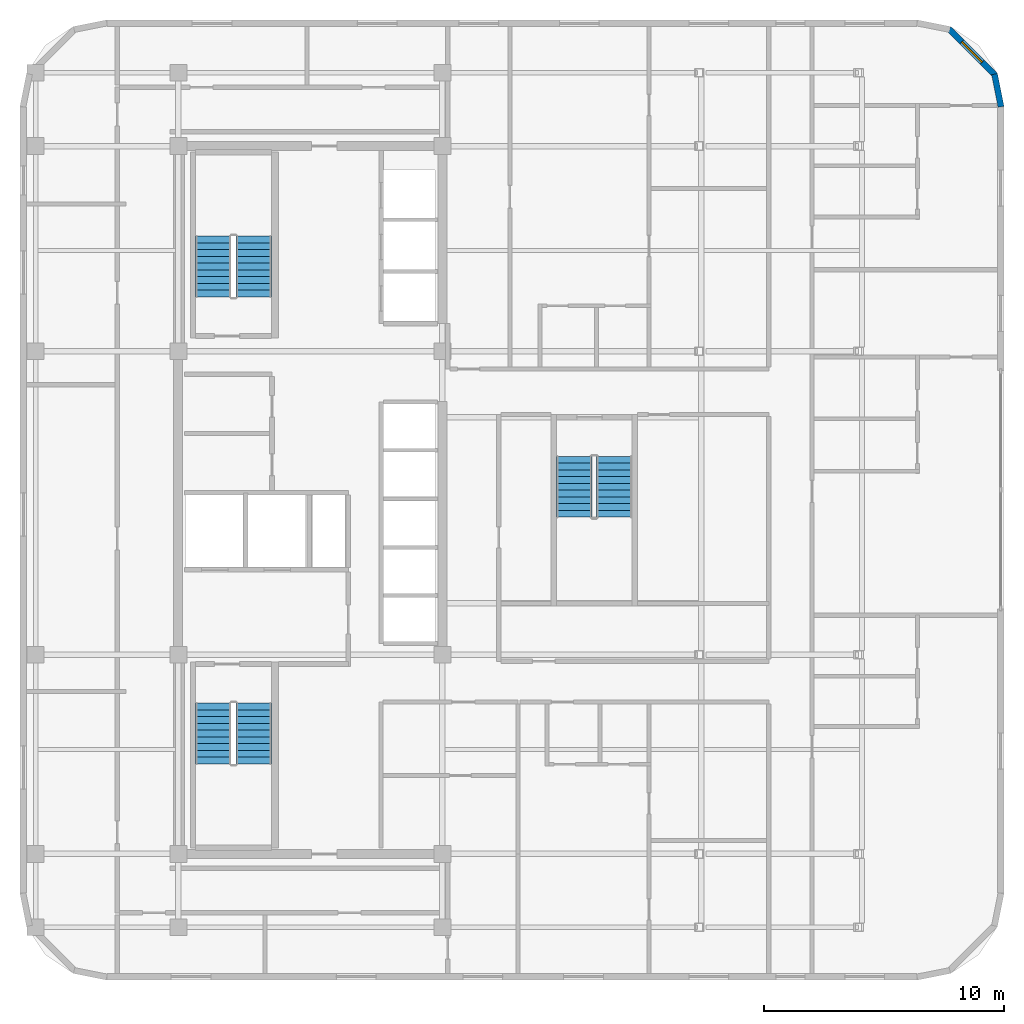
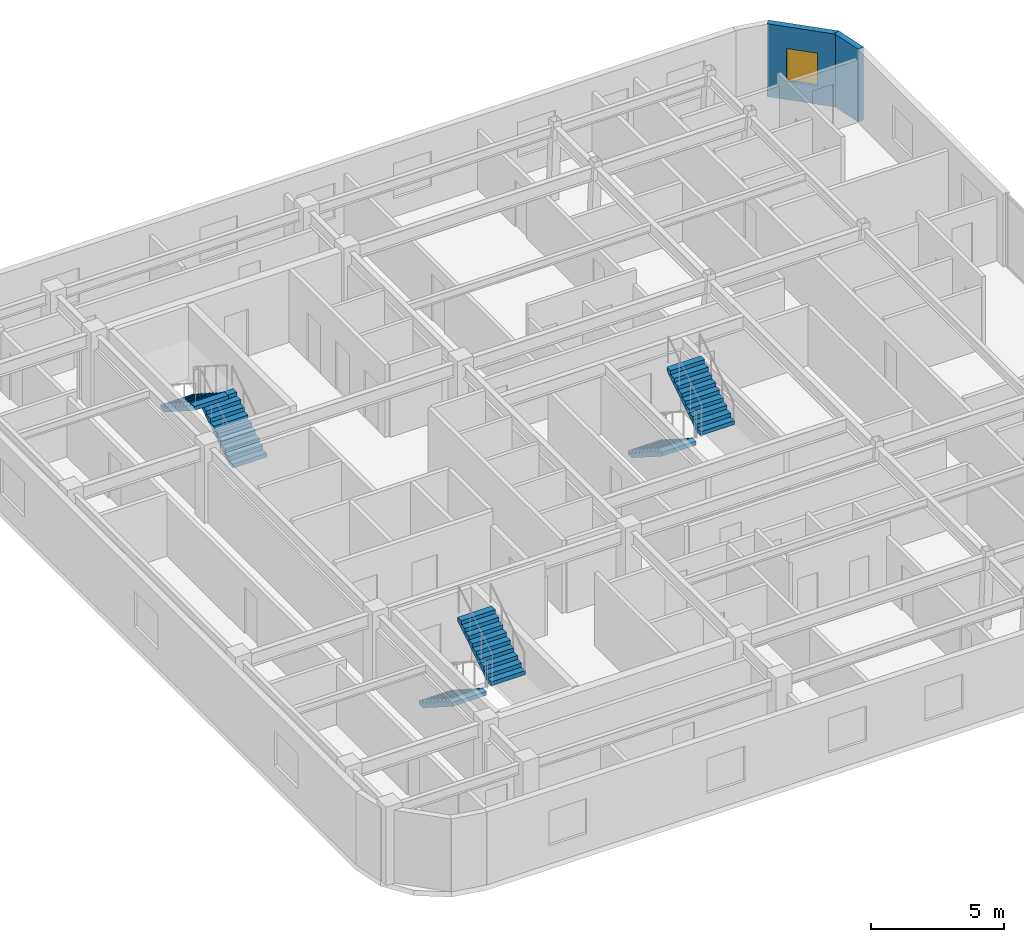
# One storey, part 8 of 9: 6 stair flights, 2 walls, 1 window, 1 opening, 3 elements without a shape of their own.
"""IFC4 building model written with IfcOpenShell, lengths in metres."""

from ifc_helpers import new_model, si_unit, direction, frame, frame_2d, origin, place, context, subcontext, project, spatial, polyline, rectangle, outline, extrude, material, layer, layer_set, type_object, element, fill, aggregate, save


model = new_model("IFC4")

# Units and contexts
model_context = context("Model", 3, precision=1e-05, world=origin(), true_north=direction((0.0, 1.0)))
body_context = subcontext(model_context, "Body", "Model", "MODEL_VIEW")
ifc_project = project(units=[si_unit("LENGTHUNIT", "METRE"), si_unit("AREAUNIT", "SQUARE_METRE"), si_unit("VOLUMEUNIT", "CUBIC_METRE"), si_unit("PLANEANGLEUNIT", "RADIAN"), si_unit("MASSUNIT", "GRAM", prefix="KILO")], contexts=[model_context])

# Site, building, storey
site_placement = place(None, origin())
site = spatial("IfcSite", under=ifc_project, at=site_placement, CompositionType="ELEMENT")
building_placement = place(site_placement, origin())
building = spatial("IfcBuilding", under=site, at=building_placement, Name="Ochreholt Gables", CompositionType="ELEMENT")
storey_placement = place(building_placement, frame((0.0, 0.0, 169.800048828125)))
storey = spatial("IfcBuildingStorey", under=building, at=storey_placement, Name="L44", CompositionType="ELEMENT", Elevation=169.800048828125)

# Wall
ifc_material_1 = material(Name="Precast concrete 40 MPa", Category="concrete")
ifc_layer = layer(ifc_material_1, 0.25, Name="Precast concrete 40 MPa")
ifc_layer_set = layer_set([ifc_layer], Name="Precast concrete 40 MPa")
wall_type = type_object("IfcWallType", Name="WALL-EXT-CNR", PredefinedType="SOLIDWALL", material=ifc_layer_set)
wall_1_placement = place(storey_placement, frame((58.475830078125, 40.383544921875, 0.0), z_axis=(0.0, 0.0, 1.0), x_axis=(-0.19496651342, 0.980809899341, 0.0)))
element("IfcWall", 1, at=wall_1_placement, inside=storey, type_object=wall_type, Name="L44 Rounded Corner Wall NE-1", PredefinedType="SOLIDWALL", context=body_context, shape_type="SweptSolid", body=[
    extrude(rectangle(XDim=1.388671875, YDim=0.25, at=frame_2d((0.6943359375, 0.0))), origin(), (0.0, 0.0, 1.0), 3.349853515625),
])

# Wall, opening, window
wall_2_placement = place(storey_placement, frame((58.23193359375, 41.695068359375, 0.0), z_axis=(0.0, 0.0, 1.0), x_axis=(-0.707106781187, 0.707106781187, 0.0)))
wall_2 = element("IfcWall", 2, at=wall_2_placement, inside=storey, type_object=wall_type, Name="L44 Rounded Corner Wall NE-2", PredefinedType="SOLIDWALL", context=body_context, shape_type="SweptSolid", body=[
    extrude(rectangle(XDim=2.7392578125, YDim=0.25, at=frame_2d((1.36962890625, 0.0))), origin(), (0.0, 0.0, 1.0), 3.349853515625),
])
opening_placement = place(wall_2_placement, frame((0.769775390625, 0.0, 0.85009765625)))
opening = element("IfcOpeningElement", 3, at=opening_placement, cuts=wall_2, Name="Opening WN-3", PredefinedType="OPENING", context=body_context, shape_type="SweptSolid", body=[
    extrude(rectangle(XDim=1.199951171875, YDim=1.5, at=frame_2d((0.60009765625, 0.75))), frame((0.0, 0.135009765625, 0.0), z_axis=(0.0, -1.0, 0.0), x_axis=(1.0, 0.0, 0.0)), (0.0, 0.0, 1.0), 0.27001953125),
])
ifc_material_2 = material(Name="Triple-Glazed Thermally Broken Aluminium Window", Category="aluminium")
window_type = type_object("IfcWindowType", Name="WIN-RES-1200", PartitioningType="SINGLE_PANEL", PredefinedType="WINDOW", material=ifc_material_2)
window_placement = place(opening_placement, origin())
window = element("IfcWindow", 4, at=window_placement, inside=storey, type_object=window_type, Name="L44 Corner Bedroom Window NE", OverallHeight=1.5, OverallWidth=1.199951171875, PartitioningType="SINGLE_PANEL", PredefinedType="WINDOW", context=body_context, shape_type="SweptSolid", body=[
    extrude(rectangle(XDim=1.199951171875, YDim=1.5, at=frame_2d((0.60009765625, 0.75))), frame((0.0, 0.030029296875, 0.0), z_axis=(0.0, -1.0, 0.0), x_axis=(1.0, 0.0, 0.0)), (0.0, 0.0, 1.0), 0.06005859375),
])
fill(opening, window)

# Stair, stair flights
ifc_material_3 = material(Name="Concrete 40 MPa", Category="concrete")
stair_type_1 = type_object("IfcStairType", Name="STAIR-CORE-ST-1", PredefinedType="HALF_TURN_STAIR", material=ifc_material_3)
stair_1_placement = place(storey_placement, origin())
stair_1 = element("IfcStair", 5, at=stair_1_placement, inside=storey, type_object=stair_type_1, Name="L44 Core Exit Stair 1", PredefinedType="HALF_TURN_STAIR")
stair_flight_type = type_object("IfcStairFlightType", Name="FLIGHT-ST-1480-1800", PredefinedType="STRAIGHT", material=ifc_material_3)
stair_flight_1_placement = place(storey_placement, frame((25.659912109375, 15.5400390625, 0.0), z_axis=(0.0, 0.0, 1.0), x_axis=(0.0, -1.0, 0.0)))
stair_flight_1 = element("IfcStairFlight", 6, at=stair_flight_1_placement, type_object=stair_flight_type, Name="ST-1 flight 1", NumberOfRisers=10, NumberOfTreads=9, PredefinedType="STRAIGHT", RiserHeight=0.18, TreadLength=0.282, context=body_context, shape_type="SweptSolid", body=[
    extrude(outline(polyline([(0.0, 0.0), (0.0, 0.179931640625), (0.281982421875, 0.179931640625), (0.281982421875, 0.360107421875), (0.56396484375, 0.360107421875), (0.56396484375, 0.5400390625), (0.845947265625, 0.5400390625), (0.845947265625, 0.719970703125), (1.1279296875, 0.719970703125), (1.1279296875, 0.89990234375), (1.409912109375, 0.89990234375), (1.409912109375, 1.080078125), (1.69189453125, 1.080078125), (1.69189453125, 1.260009765625), (1.97412109375, 1.260009765625), (1.97412109375, 1.43994140625), (2.256103515625, 1.43994140625), (2.256103515625, 1.6201171875), (2.5380859375, 1.6201171875), (2.5380859375, 1.800048828125), (2.5380859375, 1.442138671875), (0.278564453125, 0.0), (0.0, 0.0)])), frame((0.0, 0.739990234375, 0.0), z_axis=(0.0, -1.0, 0.0), x_axis=(1.0, 0.0, 0.0)), (0.0, 0.0, 1.0), 1.47998046875),
])
stair_flight_2_placement = place(storey_placement, frame((27.340087890625, 13.001953125, 1.800048828125), z_axis=(0.0, 0.0, 1.0), x_axis=(0.0, 1.0, 0.0)))
stair_flight_2 = element("IfcStairFlight", 7, at=stair_flight_2_placement, type_object=stair_flight_type, Name="ST-1 flight 2", NumberOfRisers=10, NumberOfTreads=9, PredefinedType="STRAIGHT", RiserHeight=0.18, TreadLength=0.282, context=body_context, shape_type="SweptSolid", body=[
    extrude(outline(polyline([(0.0, 0.0), (0.0, 0.179931640625), (0.281982421875, 0.179931640625), (0.281982421875, 0.360107421875), (0.56396484375, 0.360107421875), (0.56396484375, 0.5400390625), (0.845947265625, 0.5400390625), (0.845947265625, 0.719970703125), (1.1279296875, 0.719970703125), (1.1279296875, 0.89990234375), (1.409912109375, 0.89990234375), (1.409912109375, 1.080078125), (1.69189453125, 1.080078125), (1.69189453125, 1.260009765625), (1.97412109375, 1.260009765625), (1.97412109375, 1.43994140625), (2.256103515625, 1.43994140625), (2.256103515625, 1.6201171875), (2.5380859375, 1.6201171875), (2.5380859375, 1.800048828125), (2.5380859375, 1.442138671875), (0.278564453125, 0.0), (0.0, 0.0)])), frame((0.0, 0.739990234375, 0.0), z_axis=(0.0, -1.0, 0.0), x_axis=(1.0, 0.0, 0.0)), (0.0, 0.0, 1.0), 1.47998046875),
])
aggregate(stair_1, [stair_flight_1, stair_flight_2])

stair_type_2 = type_object("IfcStairType", Name="STAIR-CORE-ST-2", PredefinedType="HALF_TURN_STAIR", material=ifc_material_3)
stair_2_placement = place(storey_placement, origin())
stair_2 = element("IfcStair", 8, at=stair_2_placement, inside=storey, type_object=stair_type_2, Name="L44 Core Exit Stair 2", PredefinedType="HALF_TURN_STAIR")
stair_flight_3_placement = place(storey_placement, frame((27.340087890625, 32.4599609375, 0.0), z_axis=(0.0, 0.0, 1.0), x_axis=(0.0, 1.0, 0.0)))
stair_flight_3 = element("IfcStairFlight", 9, at=stair_flight_3_placement, type_object=stair_flight_type, Name="ST-2 flight 1", NumberOfRisers=10, NumberOfTreads=9, PredefinedType="STRAIGHT", RiserHeight=0.18, TreadLength=0.282, context=body_context, shape_type="SweptSolid", body=[
    extrude(outline(polyline([(0.0, 0.0), (0.0, 0.179931640625), (0.281982421875, 0.179931640625), (0.281982421875, 0.360107421875), (0.56396484375, 0.360107421875), (0.56396484375, 0.5400390625), (0.845947265625, 0.5400390625), (0.845947265625, 0.719970703125), (1.1279296875, 0.719970703125), (1.1279296875, 0.89990234375), (1.409912109375, 0.89990234375), (1.409912109375, 1.080078125), (1.69189453125, 1.080078125), (1.69189453125, 1.260009765625), (1.97412109375, 1.260009765625), (1.97412109375, 1.43994140625), (2.256103515625, 1.43994140625), (2.256103515625, 1.6201171875), (2.5380859375, 1.6201171875), (2.5380859375, 1.800048828125), (2.5380859375, 1.442138671875), (0.278564453125, 0.0), (0.0, 0.0)])), frame((0.0, 0.739990234375, 0.0), z_axis=(0.0, -1.0, 0.0), x_axis=(1.0, 0.0, 0.0)), (0.0, 0.0, 1.0), 1.47998046875),
])
stair_flight_4_placement = place(storey_placement, frame((25.659912109375, 34.998046875, 1.800048828125), z_axis=(0.0, 0.0, 1.0), x_axis=(0.0, -1.0, 0.0)))
stair_flight_4 = element("IfcStairFlight", 10, at=stair_flight_4_placement, type_object=stair_flight_type, Name="ST-2 flight 2", NumberOfRisers=10, NumberOfTreads=9, PredefinedType="STRAIGHT", RiserHeight=0.18, TreadLength=0.282, context=body_context, shape_type="SweptSolid", body=[
    extrude(outline(polyline([(0.0, 0.0), (0.0, 0.179931640625), (0.281982421875, 0.179931640625), (0.281982421875, 0.360107421875), (0.56396484375, 0.360107421875), (0.56396484375, 0.5400390625), (0.845947265625, 0.5400390625), (0.845947265625, 0.719970703125), (1.1279296875, 0.719970703125), (1.1279296875, 0.89990234375), (1.409912109375, 0.89990234375), (1.409912109375, 1.080078125), (1.69189453125, 1.080078125), (1.69189453125, 1.260009765625), (1.97412109375, 1.260009765625), (1.97412109375, 1.43994140625), (2.256103515625, 1.43994140625), (2.256103515625, 1.6201171875), (2.5380859375, 1.6201171875), (2.5380859375, 1.800048828125), (2.5380859375, 1.442138671875), (0.278564453125, 0.0), (0.0, 0.0)])), frame((0.0, 0.739990234375, 0.0), z_axis=(0.0, -1.0, 0.0), x_axis=(1.0, 0.0, 0.0)), (0.0, 0.0, 1.0), 1.47998046875),
])
aggregate(stair_2, [stair_flight_3, stair_flight_4])

stair_type_3 = type_object("IfcStairType", Name="STAIR-CORE-ST-C4", PredefinedType="HALF_TURN_STAIR", material=ifc_material_3)
stair_3_placement = place(storey_placement, origin())
stair_3 = element("IfcStair", 11, at=stair_3_placement, inside=storey, type_object=stair_type_3, Name="L44 Community Feature Stair ST-C4", PredefinedType="HALF_TURN_STAIR")
stair_flight_5_placement = place(storey_placement, frame((40.68994140625, 25.820068359375, 0.0), z_axis=(0.0, 0.0, 1.0), x_axis=(0.0, -1.0, 0.0)))
stair_flight_5 = element("IfcStairFlight", 12, at=stair_flight_5_placement, type_object=stair_flight_type, Name="ST-C4 flight 1", NumberOfRisers=10, NumberOfTreads=9, PredefinedType="STRAIGHT", RiserHeight=0.18, TreadLength=0.282, context=body_context, shape_type="SweptSolid", body=[
    extrude(outline(polyline([(0.0, 0.0), (0.0, 0.179931640625), (0.281982421875, 0.179931640625), (0.281982421875, 0.360107421875), (0.56396484375, 0.360107421875), (0.56396484375, 0.5400390625), (0.845947265625, 0.5400390625), (0.845947265625, 0.719970703125), (1.1279296875, 0.719970703125), (1.1279296875, 0.89990234375), (1.409912109375, 0.89990234375), (1.409912109375, 1.080078125), (1.69189453125, 1.080078125), (1.69189453125, 1.260009765625), (1.97412109375, 1.260009765625), (1.97412109375, 1.43994140625), (2.256103515625, 1.43994140625), (2.256103515625, 1.6201171875), (2.5380859375, 1.6201171875), (2.5380859375, 1.800048828125), (2.5380859375, 1.442138671875), (0.278564453125, 0.0), (0.0, 0.0)])), frame((0.0, 0.739990234375, 0.0), z_axis=(0.0, -1.0, 0.0), x_axis=(1.0, 0.0, 0.0)), (0.0, 0.0, 1.0), 1.47998046875),
])
stair_flight_6_placement = place(storey_placement, frame((42.3701171875, 23.281982421875, 1.800048828125), z_axis=(0.0, 0.0, 1.0), x_axis=(0.0, 1.0, 0.0)))
stair_flight_6 = element("IfcStairFlight", 13, at=stair_flight_6_placement, type_object=stair_flight_type, Name="ST-C4 flight 2", NumberOfRisers=10, NumberOfTreads=9, PredefinedType="STRAIGHT", RiserHeight=0.18, TreadLength=0.282, context=body_context, shape_type="SweptSolid", body=[
    extrude(outline(polyline([(0.0, 0.0), (0.0, 0.179931640625), (0.281982421875, 0.179931640625), (0.281982421875, 0.360107421875), (0.56396484375, 0.360107421875), (0.56396484375, 0.5400390625), (0.845947265625, 0.5400390625), (0.845947265625, 0.719970703125), (1.1279296875, 0.719970703125), (1.1279296875, 0.89990234375), (1.409912109375, 0.89990234375), (1.409912109375, 1.080078125), (1.69189453125, 1.080078125), (1.69189453125, 1.260009765625), (1.97412109375, 1.260009765625), (1.97412109375, 1.43994140625), (2.256103515625, 1.43994140625), (2.256103515625, 1.6201171875), (2.5380859375, 1.6201171875), (2.5380859375, 1.800048828125), (2.5380859375, 1.442138671875), (0.278564453125, 0.0), (0.0, 0.0)])), frame((0.0, 0.739990234375, 0.0), z_axis=(0.0, -1.0, 0.0), x_axis=(1.0, 0.0, 0.0)), (0.0, 0.0, 1.0), 1.47998046875),
])
aggregate(stair_3, [stair_flight_5, stair_flight_6])

save(model, "model.ifc")
